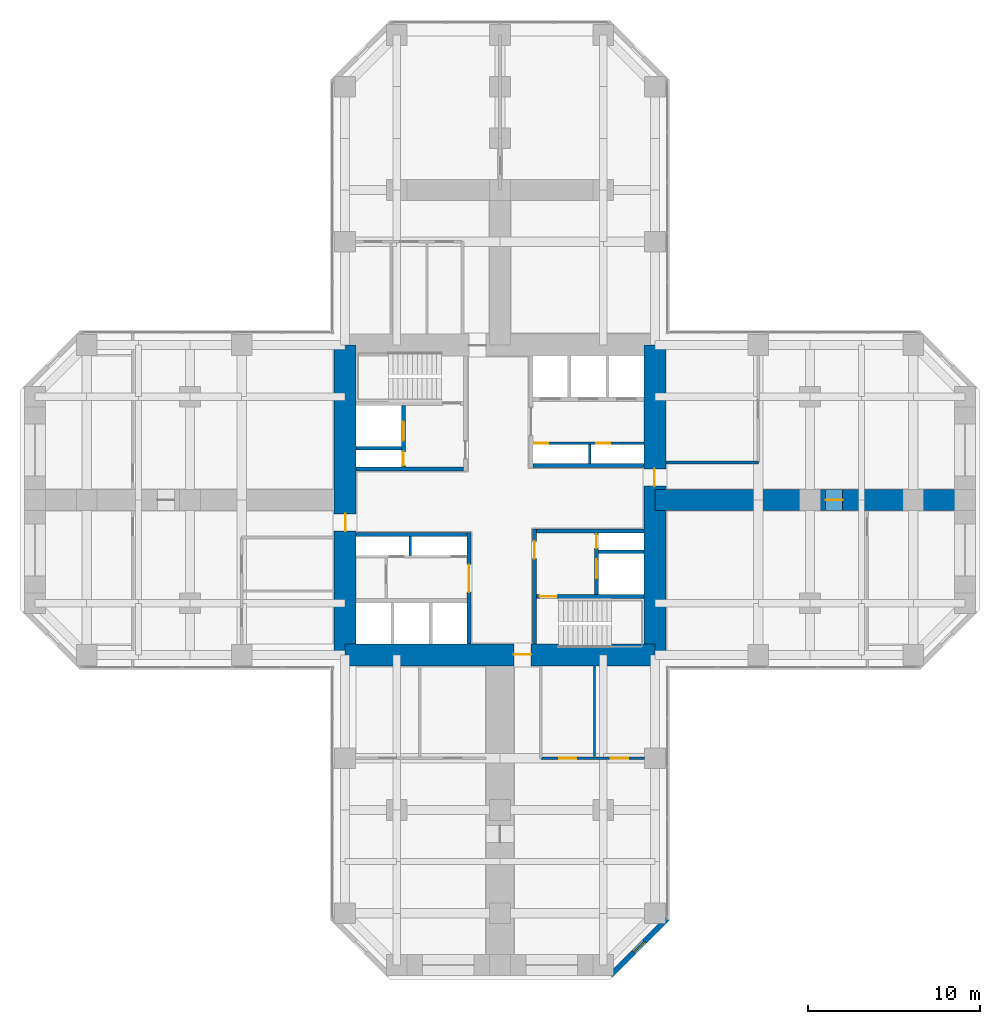
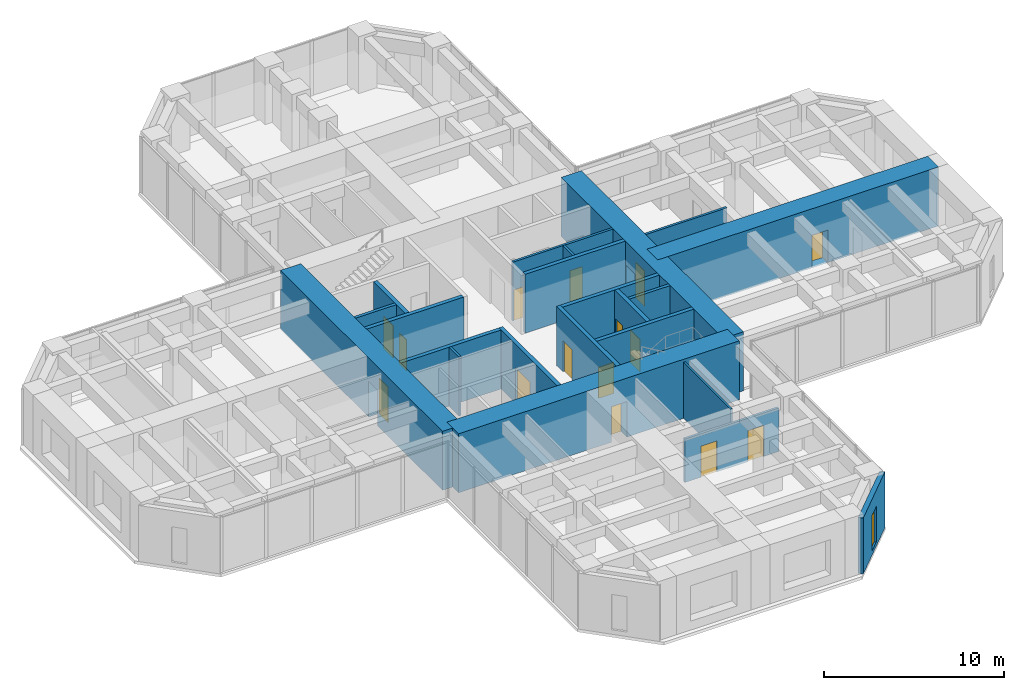
# One storey, part 9 of 12: 22 walls, 15 doors, 1 window, 16 openings.
"""IFC4 building model written with IfcOpenShell, lengths in metres."""

from ifc_helpers import new_model, si_unit, direction, frame, frame_2d, origin, place, context, subcontext, project, spatial, rectangle, hollow_rectangle, extrude, material, layer, layer_set, constituent, constituent_set, type_object, element, fill, save


model = new_model("IFC4")

# Units and contexts
model_context = context("Model", 3, precision=1e-05, world=origin(), true_north=direction((0.0, 1.0)))
body_context = subcontext(model_context, "Body", "Model", "MODEL_VIEW")
ifc_project = project(units=[si_unit("LENGTHUNIT", "METRE"), si_unit("AREAUNIT", "SQUARE_METRE"), si_unit("VOLUMEUNIT", "CUBIC_METRE"), si_unit("PLANEANGLEUNIT", "RADIAN"), si_unit("MASSUNIT", "GRAM", prefix="KILO")], contexts=[model_context])

# Site, building, storey
site_placement = place(None, origin())
site = spatial("IfcSite", under=ifc_project, at=site_placement, CompositionType="ELEMENT")
building_placement = place(site_placement, origin())
building = spatial("IfcBuilding", under=site, at=building_placement, Name="Torre Cruceta", CompositionType="ELEMENT")
storey_placement = place(building_placement, frame((0.0, 0.0, 43.5)))
storey = spatial("IfcBuildingStorey", under=building, at=storey_placement, Name="L10", CompositionType="ELEMENT", Elevation=43.5)

# Walls
ifc_material_1 = material(Name="Concrete G60 (fck 60 MPa)", Category="concrete")
ifc_layer_1 = layer(ifc_material_1, 0.25)
ifc_layer_set_1 = layer_set([ifc_layer_1], Name="Concrete G60 (fck 60 MPa)")
wall_type_1 = type_object("IfcWallType", Name="CORE INNER WALL 250 G60", PredefinedType="SHEAR", material=ifc_layer_set_1)
wall_1_placement = place(storey_placement, frame((1.925048828125, 2.0, 0.0), z_axis=(0.0, 0.0, 1.0), x_axis=(1.0, 0.0, 0.0)))
element("IfcWall", 1, at=wall_1_placement, inside=storey, type_object=wall_type_1, Name="CW4 L10 NE-CV", PredefinedType="SHEAR", context=body_context, shape_type="SweptSolid", body=[
    extrude(rectangle(XDim=6.425048828125, YDim=0.25, at=frame_2d((3.21240234375, 0.0))), origin(), (0.0, 0.0, 1.0), 4.0),
])
wall_2_placement = place(storey_placement, frame((-2.125, 1.800048828125, 0.0), z_axis=(0.0, 0.0, 1.0), x_axis=(-1.0, 0.0, 0.0)))
element("IfcWall", 2, at=wall_2_placement, inside=storey, type_object=wall_type_1, Name="CW4 L10 NW-CV", PredefinedType="SHEAR", context=body_context, shape_type="SweptSolid", body=[
    extrude(rectangle(XDim=6.22509765625, YDim=0.25, at=frame_2d((3.112548828125, 0.0))), origin(), (0.0, 0.0, 1.0), 4.0),
])

# Wall, openings, doors
wall_3_placement = place(storey_placement, frame((-5.60009765625, 1.925048828125, 0.0), z_axis=(0.0, 0.0, 1.0), x_axis=(0.0, 1.0, 0.0)))
wall_3 = element("IfcWall", 3, at=wall_3_placement, inside=storey, type_object=wall_type_1, Name="CW4 L10 NW-FU", PredefinedType="SHEAR", context=body_context, shape_type="SweptSolid", body=[
    extrude(rectangle(XDim=3.550048828125, YDim=0.25, at=frame_2d((1.77490234375, 0.0))), origin(), (0.0, 0.0, 1.0), 4.0),
])
opening_1_placement = place(wall_3_placement, frame((1.52490234375, 0.0, 0.0)))
opening_1 = element("IfcOpeningElement", 4, at=opening_1_placement, cuts=wall_3, Name="Opening LD1", PredefinedType="OPENING", context=body_context, shape_type="SweptSolid", body=[
    extrude(rectangle(XDim=1.10009765625, YDim=2.199951171875, at=frame_2d((0.550048828125, 1.10009765625))), frame((0.0, 0.135009765625, 0.0), z_axis=(0.0, -1.0, 0.0), x_axis=(1.0, 0.0, 0.0)), (0.0, 0.0, 1.0), 0.27001953125),
])
opening_2_placement = place(wall_3_placement, frame((0.074951171875, 0.0, 0.0)))
opening_2 = element("IfcOpeningElement", 5, at=opening_2_placement, cuts=wall_3, Name="Opening D5", PredefinedType="OPENING", context=body_context, shape_type="SweptSolid", body=[
    extrude(rectangle(XDim=0.800048828125, YDim=2.10009765625, at=frame_2d((0.39990234375, 1.050048828125))), frame((0.0, 0.135009765625, 0.0), z_axis=(0.0, -1.0, 0.0), x_axis=(1.0, 0.0, 0.0)), (0.0, 0.0, 1.0), 0.27001953125),
])
ifc_material_2 = material(Name="Stainless steel 1.4401", Category="steel")
door_type_1 = type_object("IfcDoorType", Name="LIFT LANDING DOOR 1100X2200", OperationType="DOUBLE_DOOR_SLIDING", PredefinedType="DOOR", material=ifc_material_2)
door_1_placement = place(opening_1_placement, origin())
door_1 = element("IfcDoor", 6, at=door_1_placement, inside=storey, type_object=door_type_1, Name="Lift landing door FL1", OperationType="DOUBLE_DOOR_SLIDING", OverallHeight=2.199951171875, OverallWidth=1.10009765625, PredefinedType="DOOR", context=body_context, shape_type="SweptSolid", body=[
    extrude(rectangle(XDim=1.10009765625, YDim=2.199951171875, at=frame_2d((0.550048828125, 1.10009765625))), frame((0.0, 0.02490234375, 0.0), z_axis=(0.0, -1.0, 0.0), x_axis=(1.0, 0.0, 0.0)), (0.0, 0.0, 1.0), 0.050048828125),
])
fill(opening_1, door_1)
ifc_material_3 = material(Name="Steel DX51D", Category="steel")
ifc_constituent_1 = constituent(ifc_material_3, Name="Leaf and frame")
ifc_material_4 = material(Name="Polyester powder coating", Category="paint")
ifc_constituent_2 = constituent(ifc_material_4, Name="Finish")
ifc_constituent_set_1 = constituent_set(constituents=[ifc_constituent_1, ifc_constituent_2], Name="Steel fire door")
door_type_2 = type_object("IfcDoorType", Name="RISER ACCESS DOOR 800X2100", OperationType="SINGLE_SWING_LEFT", PredefinedType="DOOR", material=ifc_constituent_set_1)
door_2_placement = place(opening_2_placement, origin())
door_2 = element("IfcDoor", 7, at=door_2_placement, inside=storey, type_object=door_type_2, Name="D5 L10 NW-RISER", OperationType="SINGLE_SWING_LEFT", OverallHeight=2.10009765625, OverallWidth=0.800048828125, PredefinedType="DOOR", context=body_context, shape_type="SweptSolid", body=[
    extrude(rectangle(XDim=0.800048828125, YDim=2.10009765625, at=frame_2d((0.39990234375, 1.050048828125))), frame((0.0, 0.02490234375, 0.0), z_axis=(0.0, -1.0, 0.0), x_axis=(1.0, 0.0, 0.0)), (0.0, 0.0, 1.0), 0.050048828125),
])
fill(opening_2, door_2)

# Wall, opening, door
wall_4_placement = place(storey_placement, frame((-1.800048828125, -1.875, 0.0), z_axis=(0.0, 0.0, 1.0), x_axis=(0.0, -1.0, 0.0)))
wall_4 = element("IfcWall", 8, at=wall_4_placement, inside=storey, type_object=wall_type_1, Name="CW4 L10 SW-CU", PredefinedType="SHEAR", context=body_context, shape_type="SweptSolid", body=[
    extrude(rectangle(XDim=6.47509765625, YDim=0.25, at=frame_2d((3.237548828125, 0.0))), origin(), (0.0, 0.0, 1.0), 4.0),
])
opening_3_placement = place(wall_4_placement, frame((1.875, 0.0, 0.0)))
opening_3 = element("IfcOpeningElement", 9, at=opening_3_placement, cuts=wall_4, Name="Opening D15", PredefinedType="OPENING", context=body_context, shape_type="SweptSolid", body=[
    extrude(rectangle(XDim=1.60009765625, YDim=2.39990234375, at=frame_2d((0.800048828125, 1.199951171875))), frame((0.0, 0.135009765625, 0.0), z_axis=(0.0, -1.0, 0.0), x_axis=(1.0, 0.0, 0.0)), (0.0, 0.0, 1.0), 0.27001953125),
])
ifc_material_5 = material(Name="Steel DX51D", Category="steel")
ifc_constituent_3 = constituent(ifc_material_5, Name="Leaf and frame")
ifc_material_6 = material(Name="Polyester powder coating", Category="paint")
ifc_constituent_4 = constituent(ifc_material_6, Name="Finish")
ifc_constituent_set_2 = constituent_set(constituents=[ifc_constituent_3, ifc_constituent_4], Name="Steel fire door")
door_type_3 = type_object("IfcDoorType", Name="CORE ROOM DOUBLE DOOR 1600X2400", OperationType="DOUBLE_DOOR_SINGLE_SWING", PredefinedType="DOOR", material=ifc_constituent_set_2)
door_3_placement = place(opening_3_placement, frame((1.60009765625, 0.0, 0.0), z_axis=(0.0, 0.0, 1.0), x_axis=(-1.0, 0.0, 0.0)))
door_3 = element("IfcDoor", 10, at=door_3_placement, inside=storey, type_object=door_type_3, Name="D15 L10 SW-LOBBY", OperationType="DOUBLE_DOOR_SINGLE_SWING", OverallHeight=2.39990234375, OverallWidth=1.60009765625, PredefinedType="DOOR", context=body_context, shape_type="SweptSolid", body=[
    extrude(rectangle(XDim=1.60009765625, YDim=2.39990234375, at=frame_2d((0.800048828125, 1.199951171875))), frame((0.0, 0.025146484375, 0.0), z_axis=(0.0, -1.0, 0.0), x_axis=(1.0, 0.0, 0.0)), (0.0, 0.0, 1.0), 0.050048828125),
])
fill(opening_3, door_3)

# Wall
wall_5_placement = place(storey_placement, frame((-1.925048828125, -2.0, 0.0), z_axis=(0.0, 0.0, 1.0), x_axis=(-1.0, 0.0, 0.0)))
element("IfcWall", 11, at=wall_5_placement, inside=storey, type_object=wall_type_1, Name="CW4 L10 SW-CV", PredefinedType="SHEAR", context=body_context, shape_type="SweptSolid", body=[
    extrude(rectangle(XDim=6.425048828125, YDim=0.25, at=frame_2d((3.21240234375, 0.0))), origin(), (0.0, 0.0, 1.0), 4.0),
])

# Wall, opening, door
wall_6_placement = place(storey_placement, frame((2.0, -1.675048828125, 0.0), z_axis=(0.0, 0.0, 1.0), x_axis=(0.0, -1.0, 0.0)))
wall_6 = element("IfcWall", 12, at=wall_6_placement, inside=storey, type_object=wall_type_1, Name="CW4 L10 SE-CU", PredefinedType="SHEAR", context=body_context, shape_type="SweptSolid", body=[
    extrude(rectangle(XDim=6.675048828125, YDim=0.25, at=frame_2d((3.33740234375, 0.0))), origin(), (0.0, 0.0, 1.0), 4.0),
])
opening_4_placement = place(wall_6_placement, frame((0.72509765625, 0.0, 0.0)))
opening_4 = element("IfcOpeningElement", 13, at=opening_4_placement, cuts=wall_6, Name="Opening D3", PredefinedType="OPENING", context=body_context, shape_type="SweptSolid", body=[
    extrude(rectangle(XDim=1.0, YDim=2.10009765625, at=frame_2d((0.5, 1.050048828125))), frame((0.0, 0.135009765625, 0.0), z_axis=(0.0, -1.0, 0.0), x_axis=(1.0, 0.0, 0.0)), (0.0, 0.0, 1.0), 0.27001953125),
])
ifc_material_7 = material(Name="Steel DX51D", Category="steel")
ifc_constituent_5 = constituent(ifc_material_7, Name="Leaf and frame")
ifc_material_8 = material(Name="Polyester powder coating", Category="paint")
ifc_constituent_6 = constituent(ifc_material_8, Name="Finish")
ifc_constituent_set_3 = constituent_set(constituents=[ifc_constituent_5, ifc_constituent_6], Name="Steel fire door")
door_type_4 = type_object("IfcDoorType", Name="FIRE DOOR 1000X2100", OperationType="SINGLE_SWING_LEFT", PredefinedType="DOOR", material=ifc_constituent_set_3)
door_4_placement = place(opening_4_placement, origin())
door_4 = element("IfcDoor", 14, at=door_4_placement, inside=storey, type_object=door_type_4, Name="D3 L10 SE-LOBBY", OperationType="SINGLE_SWING_LEFT", OverallHeight=2.10009765625, OverallWidth=1.0, PredefinedType="DOOR", context=body_context, shape_type="SweptSolid", body=[
    extrude(rectangle(XDim=1.0, YDim=2.10009765625, at=frame_2d((0.5, 1.050048828125))), frame((0.0, 0.02490234375, 0.0), z_axis=(0.0, -1.0, 0.0), x_axis=(1.0, 0.0, 0.0)), (0.0, 0.0, 1.0), 0.050048828125),
])
fill(opening_4, door_4)

# Wall
wall_7_placement = place(storey_placement, frame((2.125, -1.800048828125, 0.0), z_axis=(0.0, 0.0, 1.0), x_axis=(1.0, 0.0, 0.0)))
element("IfcWall", 15, at=wall_7_placement, inside=storey, type_object=wall_type_1, Name="CW4 L10 SE-CV", PredefinedType="SHEAR", context=body_context, shape_type="SweptSolid", body=[
    extrude(rectangle(XDim=6.22509765625, YDim=0.25, at=frame_2d((3.112548828125, 0.0))), origin(), (0.0, 0.0, 1.0), 4.0),
])

# Wall, opening, door
wall_8_placement = place(storey_placement, frame((2.125, -5.60009765625, 0.0), z_axis=(0.0, 0.0, 1.0), x_axis=(1.0, 0.0, 0.0)))
wall_8 = element("IfcWall", 16, at=wall_8_placement, inside=storey, type_object=wall_type_1, Name="CW4 L10 SE-SV", PredefinedType="SHEAR", context=body_context, shape_type="SweptSolid", body=[
    extrude(rectangle(XDim=6.22509765625, YDim=0.25, at=frame_2d((3.112548828125, 0.0))), origin(), (0.0, 0.0, 1.0), 4.0),
])
opening_5_placement = place(wall_8_placement, frame((0.175048828125, 0.0, 0.0)))
opening_5 = element("IfcOpeningElement", 17, at=opening_5_placement, cuts=wall_8, Name="Opening D3", PredefinedType="OPENING", context=body_context, shape_type="SweptSolid", body=[
    extrude(rectangle(XDim=1.0, YDim=2.10009765625, at=frame_2d((0.5, 1.050048828125))), frame((0.0, 0.135009765625, 0.0), z_axis=(0.0, -1.0, 0.0), x_axis=(1.0, 0.0, 0.0)), (0.0, 0.0, 1.0), 0.27001953125),
])
door_5_placement = place(opening_5_placement, frame((1.0, 0.0, 0.0), z_axis=(0.0, 0.0, 1.0), x_axis=(-1.0, 0.0, 0.0)))
door_5 = element("IfcDoor", 18, at=door_5_placement, inside=storey, type_object=door_type_4, Name="D3 L10 SE-STAIR", OperationType="SINGLE_SWING_RIGHT", OverallHeight=2.10009765625, OverallWidth=1.0, PredefinedType="DOOR", context=body_context, shape_type="SweptSolid", body=[
    extrude(rectangle(XDim=1.0, YDim=2.10009765625, at=frame_2d((0.5, 1.050048828125))), frame((0.0, 0.025146484375, 0.0), z_axis=(0.0, -1.0, 0.0), x_axis=(1.0, 0.0, 0.0)), (0.0, 0.0, 1.0), 0.050048828125),
])
fill(opening_5, door_5)

# Wall, openings, doors
wall_9_placement = place(storey_placement, frame((5.60009765625, -1.925048828125, 0.0), z_axis=(0.0, 0.0, 1.0), x_axis=(0.0, -1.0, 0.0)))
wall_9 = element("IfcWall", 19, at=wall_9_placement, inside=storey, type_object=wall_type_1, Name="CW4 L10 SE-FU", PredefinedType="SHEAR", context=body_context, shape_type="SweptSolid", body=[
    extrude(rectangle(XDim=3.550048828125, YDim=0.25, at=frame_2d((1.77490234375, 0.0))), origin(), (0.0, 0.0, 1.0), 4.0),
])
opening_6_placement = place(wall_9_placement, frame((1.52490234375, 0.0, 0.0)))
opening_6 = element("IfcOpeningElement", 20, at=opening_6_placement, cuts=wall_9, Name="Opening LD1", PredefinedType="OPENING", context=body_context, shape_type="SweptSolid", body=[
    extrude(rectangle(XDim=1.10009765625, YDim=2.199951171875, at=frame_2d((0.550048828125, 1.10009765625))), frame((0.0, 0.135009765625, 0.0), z_axis=(0.0, -1.0, 0.0), x_axis=(1.0, 0.0, 0.0)), (0.0, 0.0, 1.0), 0.27001953125),
])
opening_7_placement = place(wall_9_placement, frame((0.074951171875, 0.0, 0.0)))
opening_7 = element("IfcOpeningElement", 21, at=opening_7_placement, cuts=wall_9, Name="Opening D5", PredefinedType="OPENING", context=body_context, shape_type="SweptSolid", body=[
    extrude(rectangle(XDim=0.800048828125, YDim=2.10009765625, at=frame_2d((0.39990234375, 1.050048828125))), frame((0.0, 0.135009765625, 0.0), z_axis=(0.0, -1.0, 0.0), x_axis=(1.0, 0.0, 0.0)), (0.0, 0.0, 1.0), 0.27001953125),
])
door_6_placement = place(opening_6_placement, origin())
door_6 = element("IfcDoor", 22, at=door_6_placement, inside=storey, type_object=door_type_1, Name="Lift landing door FL2", OperationType="DOUBLE_DOOR_SLIDING", OverallHeight=2.199951171875, OverallWidth=1.10009765625, PredefinedType="DOOR", context=body_context, shape_type="SweptSolid", body=[
    extrude(rectangle(XDim=1.10009765625, YDim=2.199951171875, at=frame_2d((0.550048828125, 1.10009765625))), frame((0.0, 0.02490234375, 0.0), z_axis=(0.0, -1.0, 0.0), x_axis=(1.0, 0.0, 0.0)), (0.0, 0.0, 1.0), 0.050048828125),
])
fill(opening_6, door_6)
door_7_placement = place(opening_7_placement, origin())
door_7 = element("IfcDoor", 23, at=door_7_placement, inside=storey, type_object=door_type_2, Name="D5 L10 SE-RISER", OperationType="SINGLE_SWING_LEFT", OverallHeight=2.10009765625, OverallWidth=0.800048828125, PredefinedType="DOOR", context=body_context, shape_type="SweptSolid", body=[
    extrude(rectangle(XDim=0.800048828125, YDim=2.10009765625, at=frame_2d((0.39990234375, 1.050048828125))), frame((0.0, 0.02490234375, 0.0), z_axis=(0.0, -1.0, 0.0), x_axis=(1.0, 0.0, 0.0)), (0.0, 0.0, 1.0), 0.050048828125),
])
fill(opening_7, door_7)

# Wall, opening, door
ifc_material_9 = material(Name="Concrete G60 (fck 60 MPa)", Category="concrete")
ifc_layer_2 = layer(ifc_material_9, 1.300048828125)
ifc_layer_set_2 = layer_set([ifc_layer_2], Name="Concrete G60 (fck 60 MPa)")
wall_type_2 = type_object("IfcWallType", Name="CORE WALL 1300 G60", PredefinedType="SHEAR", material=ifc_layer_set_2)
wall_10_placement = place(storey_placement, frame((-9.0, -9.0, 0.0), z_axis=(0.0, 0.0, 1.0), x_axis=(1.0, 0.0, 0.0)))
wall_10 = element("IfcWall", 24, at=wall_10_placement, inside=storey, type_object=wall_type_2, Name="CW1 L10 CW-S", PredefinedType="SHEAR", context=body_context, shape_type="SweptSolid", body=[
    extrude(rectangle(XDim=18.0, YDim=1.300048828125, at=frame_2d((9.0, 0.0))), origin(), (0.0, 0.0, 1.0), 4.0),
])
opening_8_placement = place(wall_10_placement, frame((9.800048828125, 0.0, 0.0)))
opening_8 = element("IfcOpeningElement", 25, at=opening_8_placement, cuts=wall_10, Name="Opening D4", PredefinedType="OPENING", context=body_context, shape_type="SweptSolid", body=[
    extrude(rectangle(XDim=1.0, YDim=2.39990234375, at=frame_2d((0.5, 1.199951171875))), frame((0.0, 0.659912109375, 0.0), z_axis=(0.0, -1.0, 0.0), x_axis=(1.0, 0.0, 0.0)), (0.0, 0.0, 1.0), 1.320068359375),
])
ifc_material_10 = material(Name="Steel DX51D", Category="steel")
ifc_constituent_7 = constituent(ifc_material_10, Name="Leaf and frame")
ifc_material_11 = material(Name="Polyester powder coating", Category="paint")
ifc_constituent_8 = constituent(ifc_material_11, Name="Finish")
ifc_constituent_set_4 = constituent_set(constituents=[ifc_constituent_7, ifc_constituent_8], Name="Steel fire door")
door_type_5 = type_object("IfcDoorType", Name="CORE ARM DOOR 1000X2400", OperationType="SINGLE_SWING_RIGHT", PredefinedType="DOOR", material=ifc_constituent_set_4)
door_8_placement = place(opening_8_placement, frame((1.0, 0.0, 0.0), z_axis=(0.0, 0.0, 1.0), x_axis=(-1.0, 0.0, 0.0)))
door_8 = element("IfcDoor", 26, at=door_8_placement, inside=storey, type_object=door_type_5, Name="D4 L10 CW-S", OperationType="SINGLE_SWING_RIGHT", OverallHeight=2.39990234375, OverallWidth=1.0, PredefinedType="DOOR", context=body_context, shape_type="SweptSolid", body=[
    extrude(rectangle(XDim=1.0, YDim=2.39990234375, at=frame_2d((0.5, 1.199951171875))), frame((0.0, -0.005126953125, 0.0), z_axis=(0.0, -1.0, 0.0), x_axis=(1.0, 0.0, 0.0)), (0.0, 0.0, 1.0), 0.050048828125),
])
fill(opening_8, door_8)

wall_11_placement = place(storey_placement, frame((9.0, -9.0, 0.0), z_axis=(0.0, 0.0, 1.0), x_axis=(0.0, 1.0, 0.0)))
wall_11 = element("IfcWall", 27, at=wall_11_placement, inside=storey, type_object=wall_type_2, Name="CW1 L10 CW-E", PredefinedType="SHEAR", context=body_context, shape_type="SweptSolid", body=[
    extrude(rectangle(XDim=18.0, YDim=1.300048828125, at=frame_2d((9.0, 0.0))), origin(), (0.0, 0.0, 1.0), 4.0),
])
opening_9_placement = place(wall_11_placement, frame((9.800048828125, 0.0, 0.0)))
opening_9 = element("IfcOpeningElement", 28, at=opening_9_placement, cuts=wall_11, Name="Opening D4", PredefinedType="OPENING", context=body_context, shape_type="SweptSolid", body=[
    extrude(rectangle(XDim=1.0, YDim=2.39990234375, at=frame_2d((0.5, 1.199951171875))), frame((0.0, 0.659912109375, 0.0), z_axis=(0.0, -1.0, 0.0), x_axis=(1.0, 0.0, 0.0)), (0.0, 0.0, 1.0), 1.320068359375),
])
door_9_placement = place(opening_9_placement, frame((1.0, 0.0, 0.0), z_axis=(0.0, 0.0, 1.0), x_axis=(-1.0, 0.0, 0.0)))
door_9 = element("IfcDoor", 29, at=door_9_placement, inside=storey, type_object=door_type_5, Name="D4 L10 CW-E", OperationType="SINGLE_SWING_RIGHT", OverallHeight=2.39990234375, OverallWidth=1.0, PredefinedType="DOOR", context=body_context, shape_type="SweptSolid", body=[
    extrude(rectangle(XDim=1.0, YDim=2.39990234375, at=frame_2d((0.5, 1.199951171875))), frame((0.0, -0.005126953125, 0.0), z_axis=(0.0, -1.0, 0.0), x_axis=(1.0, 0.0, 0.0)), (0.0, 0.0, 1.0), 0.050048828125),
])
fill(opening_9, door_9)

wall_12_placement = place(storey_placement, frame((-9.0, 9.0, 0.0), z_axis=(0.0, 0.0, 1.0), x_axis=(0.0, -1.0, 0.0)))
wall_12 = element("IfcWall", 30, at=wall_12_placement, inside=storey, type_object=wall_type_2, Name="CW1 L10 CW-W", PredefinedType="SHEAR", context=body_context, shape_type="SweptSolid", body=[
    extrude(rectangle(XDim=18.0, YDim=1.300048828125, at=frame_2d((9.0, 0.0))), origin(), (0.0, 0.0, 1.0), 4.0),
])
opening_10_placement = place(wall_12_placement, frame((9.800048828125, 0.0, 0.0)))
opening_10 = element("IfcOpeningElement", 31, at=opening_10_placement, cuts=wall_12, Name="Opening D4", PredefinedType="OPENING", context=body_context, shape_type="SweptSolid", body=[
    extrude(rectangle(XDim=1.0, YDim=2.39990234375, at=frame_2d((0.5, 1.199951171875))), frame((0.0, 0.659912109375, 0.0), z_axis=(0.0, -1.0, 0.0), x_axis=(1.0, 0.0, 0.0)), (0.0, 0.0, 1.0), 1.320068359375),
])
door_10_placement = place(opening_10_placement, frame((1.0, 0.0, 0.0), z_axis=(0.0, 0.0, 1.0), x_axis=(-1.0, 0.0, 0.0)))
door_10 = element("IfcDoor", 32, at=door_10_placement, inside=storey, type_object=door_type_5, Name="D4 L10 CW-W", OperationType="SINGLE_SWING_RIGHT", OverallHeight=2.39990234375, OverallWidth=1.0, PredefinedType="DOOR", context=body_context, shape_type="SweptSolid", body=[
    extrude(rectangle(XDim=1.0, YDim=2.39990234375, at=frame_2d((0.5, 1.199951171875))), frame((0.0, -0.005126953125, 0.0), z_axis=(0.0, -1.0, 0.0), x_axis=(1.0, 0.0, 0.0)), (0.0, 0.0, 1.0), 0.050048828125),
])
fill(opening_10, door_10)

# Wall, opening, window
ifc_material_12 = material(Name="Concrete G30 (fck 30 MPa)", Category="concrete")
ifc_layer_3 = layer(ifc_material_12, 0.300048828125)
ifc_layer_set_3 = layer_set([ifc_layer_3], Name="Concrete G30 (fck 30 MPa)")
wall_type_3 = type_object("IfcWallType", Name="EXPOSED CONCRETE FACADE WALL 300", PredefinedType="SOLIDWALL", material=ifc_layer_set_3)
wall_13_placement = place(storey_placement, frame((6.418212890625, -27.60009765625, 0.0), z_axis=(0.0, 0.0, 1.0), x_axis=(0.707106781187, 0.707106781187, 0.0)))
wall_13 = element("IfcWall", 33, at=wall_13_placement, inside=storey, type_object=wall_type_3, Name="EW1 facade wall L10 S chamfer 18", PredefinedType="SOLIDWALL", context=body_context, shape_type="SweptSolid", body=[
    extrude(rectangle(XDim=4.66943359375, YDim=0.300048828125, at=frame_2d((2.334716796875, 0.0))), origin(), (0.0, 0.0, 1.0), 3.800048828125),
])
opening_11_placement = place(wall_13_placement, frame((1.884765625, 0.0, 0.300048828125)))
opening_11 = element("IfcOpeningElement", 34, at=opening_11_placement, cuts=wall_13, Name="Opening WN5", PredefinedType="OPENING", context=body_context, shape_type="SweptSolid", body=[
    extrude(rectangle(XDim=0.89990234375, YDim=2.39990234375, at=frame_2d((0.449951171875, 1.199951171875))), frame((0.0, 0.159912109375, 0.0), z_axis=(0.0, -1.0, 0.0), x_axis=(1.0, 0.0, 0.0)), (0.0, 0.0, 1.0), 0.320068359375),
])
ifc_material_13 = material(Name="Aluminium window frame", Category="aluminium")
ifc_constituent_9 = constituent(ifc_material_13, Name="Frame")
ifc_material_14 = material(Name="Laminated insulating glass unit, low-iron clear", Category="glass")
ifc_constituent_10 = constituent(ifc_material_14, Name="Glazing")
ifc_constituent_set_5 = constituent_set(constituents=[ifc_constituent_9, ifc_constituent_10], Name="Aluminium window")
window_type = type_object("IfcWindowType", Name="CHAMFER SLOT WINDOW 900X2400", PartitioningType="SINGLE_PANEL", PredefinedType="WINDOW", material=ifc_constituent_set_5)
window_placement = place(opening_11_placement, origin())
window = element("IfcWindow", 35, at=window_placement, inside=storey, type_object=window_type, Name="WN5 L10 S 1", OverallHeight=2.39990234375, OverallWidth=0.89990234375, PartitioningType="SINGLE_PANEL", PredefinedType="WINDOW", context=body_context, shape_type="SweptSolid", body=[
    extrude(hollow_rectangle(XDim=0.89990234375, YDim=2.39990234375, WallThickness=0.06005859375, at=frame_2d((0.449951171875, 1.199951171875))), frame((0.0, 0.030029296875, 0.0), z_axis=(0.0, -1.0, 0.0), x_axis=(1.0, 0.0, 0.0)), (0.0, 0.0, 1.0), 0.06005859375),
    extrude(rectangle(XDim=0.77880859375, YDim=2.27880859375, at=frame_2d((0.449951171875, 1.199951171875))), frame((0.0, 0.030029296875, 0.0), z_axis=(0.0, -1.0, 0.0), x_axis=(1.0, 0.0, 0.0)), (0.0, 0.0, 1.0), 0.06005859375),
])
fill(opening_11, window)

# Walls
ifc_material_15 = material(Name="Concrete G35 (fck 35 MPa)", Category="concrete")
ifc_layer_4 = layer(ifc_material_15, 0.199951171875)
ifc_layer_set_4 = layer_set([ifc_layer_4], Name="Concrete G35 (fck 35 MPa)")
wall_type_4 = type_object("IfcWallType", Name="LIFT SHAFT WALL 200", PredefinedType="PARTITIONING", material=ifc_layer_set_4)
for number, where, z_axis, x_axis, name in (
    (36, (-5.72509765625, 3.0, 0.0), (0.0, 0.0, 1.0), (-1.0, 0.0, 0.0), "SW1 L10 NW-FR"),
    (37, (5.72509765625, -3.0, 0.0), (0.0, 0.0, 1.0), (1.0, 0.0, 0.0), "SW1 L10 SE-FR"),
):
    element("IfcWall", number, at=place(storey_placement, frame(where, z_axis=z_axis, x_axis=x_axis)), inside=storey, type_object=wall_type_4, Name=name, PredefinedType="PARTITIONING", context=body_context, shape_type="SweptSolid", body=[
        extrude(rectangle(XDim=2.625, YDim=0.199951171875, at=frame_2d((1.3125, 0.0))), origin(), (0.0, 0.0, 1.0), 4.0),
    ])
ifc_material_16 = material(Name="Plasterboard on steel studs", Category="steel")
ifc_layer_5 = layer(ifc_material_16, 0.14990234375)
ifc_layer_set_5 = layer_set([ifc_layer_5], Name="Plasterboard on steel studs")
wall_type_5 = type_object("IfcWallType", Name="PARTITION 150", PredefinedType="PARTITIONING", material=ifc_layer_set_5)
wall_14_placement = place(storey_placement, frame((9.64990234375, 2.175048828125, 0.0), z_axis=(0.0, 0.0, 1.0), x_axis=(1.0, 0.0, 0.0)))
element("IfcWall", 38, at=wall_14_placement, inside=storey, type_object=wall_type_5, Name="PT1 L10-E-BSL", PredefinedType="PARTITIONING", context=body_context, shape_type="SweptSolid", body=[
    extrude(rectangle(XDim=5.35009765625, YDim=0.14990234375, at=frame_2d((2.675048828125, 0.0))), origin(), (0.0, 0.0, 1.0), 3.800048828125),
])

# Wall, openings, doors
wall_15_placement = place(storey_placement, frame((2.375, -15.0, 0.0), z_axis=(0.0, 0.0, 1.0), x_axis=(1.0, 0.0, 0.0)))
wall_15 = element("IfcWall", 39, at=wall_15_placement, inside=storey, type_object=wall_type_5, Name="PT1 L10-S-BFL", PredefinedType="PARTITIONING", context=body_context, shape_type="SweptSolid", body=[
    extrude(rectangle(XDim=6.02490234375, YDim=0.14990234375, at=frame_2d((3.012451171875, 0.0))), origin(), (0.0, 0.0, 1.0), 2.949951171875),
])
opening_12_placement = place(wall_15_placement, frame((1.052001953125, 0.0, 0.0)))
opening_12 = element("IfcOpeningElement", 40, at=opening_12_placement, cuts=wall_15, Name="Opening D3", PredefinedType="OPENING", context=body_context, shape_type="SweptSolid", body=[
    extrude(rectangle(XDim=1.0, YDim=2.10009765625, at=frame_2d((0.5, 1.050048828125))), frame((0.0, 0.0849609375, 0.0), z_axis=(0.0, -1.0, 0.0), x_axis=(1.0, 0.0, 0.0)), (0.0, 0.0, 1.0), 0.169921875),
])
opening_13_placement = place(wall_15_placement, frame((4.064453125, 0.0, 0.0)))
opening_13 = element("IfcOpeningElement", 41, at=opening_13_placement, cuts=wall_15, Name="Opening D3", PredefinedType="OPENING", context=body_context, shape_type="SweptSolid", body=[
    extrude(rectangle(XDim=1.0, YDim=2.10009765625, at=frame_2d((0.5, 1.050048828125))), frame((0.0, 0.0849609375, 0.0), z_axis=(0.0, -1.0, 0.0), x_axis=(1.0, 0.0, 0.0)), (0.0, 0.0, 1.0), 0.169921875),
])
door_11_placement = place(opening_12_placement, origin())
door_11 = element("IfcDoor", 42, at=door_11_placement, inside=storey, type_object=door_type_4, Name="D3 L10-S-BFL-D1", OperationType="SINGLE_SWING_LEFT", OverallHeight=2.10009765625, OverallWidth=1.0, PredefinedType="DOOR", context=body_context, shape_type="SweptSolid", body=[
    extrude(rectangle(XDim=1.0, YDim=2.10009765625, at=frame_2d((0.5, 1.050048828125))), frame((0.0, 0.02490234375, 0.0), z_axis=(0.0, -1.0, 0.0), x_axis=(1.0, 0.0, 0.0)), (0.0, 0.0, 1.0), 0.050048828125),
])
fill(opening_12, door_11)
door_12_placement = place(opening_13_placement, origin())
door_12 = element("IfcDoor", 43, at=door_12_placement, inside=storey, type_object=door_type_4, Name="D3 L10-S-BFL-D2", OperationType="SINGLE_SWING_LEFT", OverallHeight=2.10009765625, OverallWidth=1.0, PredefinedType="DOOR", context=body_context, shape_type="SweptSolid", body=[
    extrude(rectangle(XDim=1.0, YDim=2.10009765625, at=frame_2d((0.5, 1.050048828125))), frame((0.0, 0.02490234375, 0.0), z_axis=(0.0, -1.0, 0.0), x_axis=(1.0, 0.0, 0.0)), (0.0, 0.0, 1.0), 0.050048828125),
])
fill(opening_13, door_12)

ifc_material_17 = material(Name="Concrete block masonry", Category="masonry")
ifc_layer_6 = layer(ifc_material_17, 0.14990234375)
ifc_layer_set_6 = layer_set([ifc_layer_6], Name="Concrete block masonry")
wall_type_6 = type_object("IfcWallType", Name="RISER WALL 150", PredefinedType="PARTITIONING", material=ifc_layer_set_6)
wall_16_placement = place(storey_placement, frame((1.925048828125, 3.300048828125, 0.0), z_axis=(0.0, 0.0, 1.0), x_axis=(1.0, 0.0, 0.0)))
wall_16 = element("IfcWall", 44, at=wall_16_placement, inside=storey, type_object=wall_type_6, Name="SW7 L10 NE-RV", PredefinedType="PARTITIONING", context=body_context, shape_type="SweptSolid", body=[
    extrude(rectangle(XDim=6.425048828125, YDim=0.14990234375, at=frame_2d((3.21240234375, 0.0))), origin(), (0.0, 0.0, 1.0), 4.0),
])
opening_14_placement = place(wall_16_placement, frame((0.074951171875, 0.0, 0.0)))
opening_14 = element("IfcOpeningElement", 45, at=opening_14_placement, cuts=wall_16, Name="Opening D5", PredefinedType="OPENING", context=body_context, shape_type="SweptSolid", body=[
    extrude(rectangle(XDim=0.800048828125, YDim=2.10009765625, at=frame_2d((0.39990234375, 1.050048828125))), frame((0.0, 0.0849609375, 0.0), z_axis=(0.0, -1.0, 0.0), x_axis=(1.0, 0.0, 0.0)), (0.0, 0.0, 1.0), 0.169921875),
])
opening_15_placement = place(wall_16_placement, frame((3.675048828125, 0.0, 0.0)))
opening_15 = element("IfcOpeningElement", 46, at=opening_15_placement, cuts=wall_16, Name="Opening D5", PredefinedType="OPENING", context=body_context, shape_type="SweptSolid", body=[
    extrude(rectangle(XDim=0.800048828125, YDim=2.10009765625, at=frame_2d((0.39990234375, 1.050048828125))), frame((0.0, 0.0849609375, 0.0), z_axis=(0.0, -1.0, 0.0), x_axis=(1.0, 0.0, 0.0)), (0.0, 0.0, 1.0), 0.169921875),
])
door_13_placement = place(opening_14_placement, frame((0.800048828125, 0.0, 0.0), z_axis=(0.0, 0.0, 1.0), x_axis=(-1.0, 0.0, 0.0)))
door_13 = element("IfcDoor", 47, at=door_13_placement, inside=storey, type_object=door_type_2, Name="D5 L10 NE-RISER1", OperationType="SINGLE_SWING_RIGHT", OverallHeight=2.10009765625, OverallWidth=0.800048828125, PredefinedType="DOOR", context=body_context, shape_type="SweptSolid", body=[
    extrude(rectangle(XDim=0.800048828125, YDim=2.10009765625, at=frame_2d((0.400146484375, 1.050048828125))), frame((0.0, 0.025146484375, 0.0), z_axis=(0.0, -1.0, 0.0), x_axis=(1.0, 0.0, 0.0)), (0.0, 0.0, 1.0), 0.050048828125),
])
fill(opening_14, door_13)
door_14_placement = place(opening_15_placement, frame((0.800048828125, 0.0, 0.0), z_axis=(0.0, 0.0, 1.0), x_axis=(-1.0, 0.0, 0.0)))
door_14 = element("IfcDoor", 48, at=door_14_placement, inside=storey, type_object=door_type_2, Name="D5 L10 NE-RISER2", OperationType="SINGLE_SWING_RIGHT", OverallHeight=2.10009765625, OverallWidth=0.800048828125, PredefinedType="DOOR", context=body_context, shape_type="SweptSolid", body=[
    extrude(rectangle(XDim=0.800048828125, YDim=2.10009765625, at=frame_2d((0.400146484375, 1.050048828125))), frame((0.0, 0.025146484375, 0.0), z_axis=(0.0, -1.0, 0.0), x_axis=(1.0, 0.0, 0.0)), (0.0, 0.0, 1.0), 0.050048828125),
])
fill(opening_15, door_14)

# Walls
for number, where, z_axis, x_axis, name in (
    (49, (5.199951171875, 2.125, 0.0), (0.0, 0.0, 1.0), (0.0, 1.0, 0.0), "SW7 L10 NE-RU"),
    (50, (-5.199951171875, -2.125, 0.0), (0.0, 0.0, 1.0), (0.0, -1.0, 0.0), "SW7 L10 SW-RU"),
):
    element("IfcWall", number, at=place(storey_placement, frame(where, z_axis=z_axis, x_axis=x_axis)), inside=storey, type_object=wall_type_6, Name=name, PredefinedType="PARTITIONING", context=body_context, shape_type="SweptSolid", body=[
        extrude(rectangle(XDim=1.10009765625, YDim=0.14990234375, at=frame_2d((0.550048828125, 0.0))), origin(), (0.0, 0.0, 1.0), 4.0),
    ])

# Wall, opening, door
ifc_material_18 = material(Name="Concrete G60 (fck 60 MPa)", Category="concrete")
ifc_layer_7 = layer(ifc_material_18, 1.199951171875)
ifc_layer_set_7 = layer_set([ifc_layer_7], Name="Concrete G60 (fck 60 MPa)")
wall_type_7 = type_object("IfcWallType", Name="SPINE WALL 1200 G60", PredefinedType="SHEAR", material=ifc_layer_set_7)
wall_17_placement = place(storey_placement, frame((9.0, 0.0, 0.0), z_axis=(0.0, 0.0, 1.0), x_axis=(1.0, 0.0, 0.0)))
wall_17 = element("IfcWall", 51, at=wall_17_placement, inside=storey, type_object=wall_type_7, Name="SW3 spine wall L10 E", PredefinedType="SHEAR", context=body_context, shape_type="SweptSolid", body=[
    extrude(rectangle(XDim=18.0, YDim=1.199951171875, at=frame_2d((9.0, 0.0))), origin(), (0.0, 0.0, 1.0), 4.0),
])
opening_16_placement = place(wall_17_placement, frame((9.89990234375, 0.0, 0.0)))
opening_16 = element("IfcOpeningElement", 52, at=opening_16_placement, cuts=wall_17, Name="Opening D14", PredefinedType="OPENING", context=body_context, shape_type="SweptSolid", body=[
    extrude(rectangle(XDim=1.0, YDim=2.199951171875, at=frame_2d((0.5, 1.10009765625))), frame((0.0, 0.60986328125, 0.0), z_axis=(0.0, -1.0, 0.0), x_axis=(1.0, 0.0, 0.0)), (0.0, 0.0, 1.0), 1.219970703125),
])
ifc_material_19 = material(Name="Steel DX51D", Category="steel")
ifc_constituent_11 = constituent(ifc_material_19, Name="Leaf and frame")
ifc_material_20 = material(Name="Polyester powder coating", Category="paint")
ifc_constituent_12 = constituent(ifc_material_20, Name="Finish")
ifc_material_21 = material(Name="Fire-resisting glass", Category="glass")
ifc_constituent_13 = constituent(ifc_material_21, Name="Vision panel")
ifc_constituent_set_6 = constituent_set(constituents=[ifc_constituent_11, ifc_constituent_12, ifc_constituent_13], Name="Steel fire door with vision panel")
door_type_6 = type_object("IfcDoorType", Name="FIRE DOOR VISION PANEL 1000X2200", OperationType="SINGLE_SWING_RIGHT", PredefinedType="DOOR", material=ifc_constituent_set_6)
door_15_placement = place(opening_16_placement, frame((1.0, 0.0, 0.0), z_axis=(0.0, 0.0, 1.0), x_axis=(-1.0, 0.0, 0.0)))
door_15 = element("IfcDoor", 53, at=door_15_placement, inside=storey, type_object=door_type_6, Name="D14 L10-E-SP1", OperationType="SINGLE_SWING_LEFT", OverallHeight=2.199951171875, OverallWidth=1.0, PredefinedType="DOOR", context=body_context, shape_type="SweptSolid", body=[
    extrude(rectangle(XDim=1.0, YDim=2.199951171875, at=frame_2d((0.5, 1.10009765625))), frame((0.0, 0.025146484375, 0.0), z_axis=(0.0, -1.0, 0.0), x_axis=(1.0, 0.0, 0.0)), (0.0, 0.0, 1.0), 0.050048828125),
])
fill(opening_16, door_15)

# Wall
ifc_material_22 = material(Name="Plasterboard on steel studs", Category="steel")
ifc_layer_8 = layer(ifc_material_22, 0.1201171875)
ifc_layer_set_8 = layer_set([ifc_layer_8], Name="Plasterboard on steel studs")
wall_type_8 = type_object("IfcWallType", Name="WC PARTITION 120", PredefinedType="PLUMBINGWALL", material=ifc_layer_set_8)
wall_18_placement = place(storey_placement, frame((5.478759765625, -9.64990234375, 0.0), z_axis=(0.0, 0.0, 1.0), x_axis=(0.0, -1.0, 0.0)))
element("IfcWall", 54, at=wall_18_placement, inside=storey, type_object=wall_type_8, Name="PT5 L10-S-BDL1", PredefinedType="PLUMBINGWALL", context=body_context, shape_type="SweptSolid", body=[
    extrude(rectangle(XDim=5.25, YDim=0.1201171875, at=frame_2d((2.625, 0.0))), origin(), (0.0, 0.0, 1.0), 3.800048828125),
])

save(model, "model.ifc")
